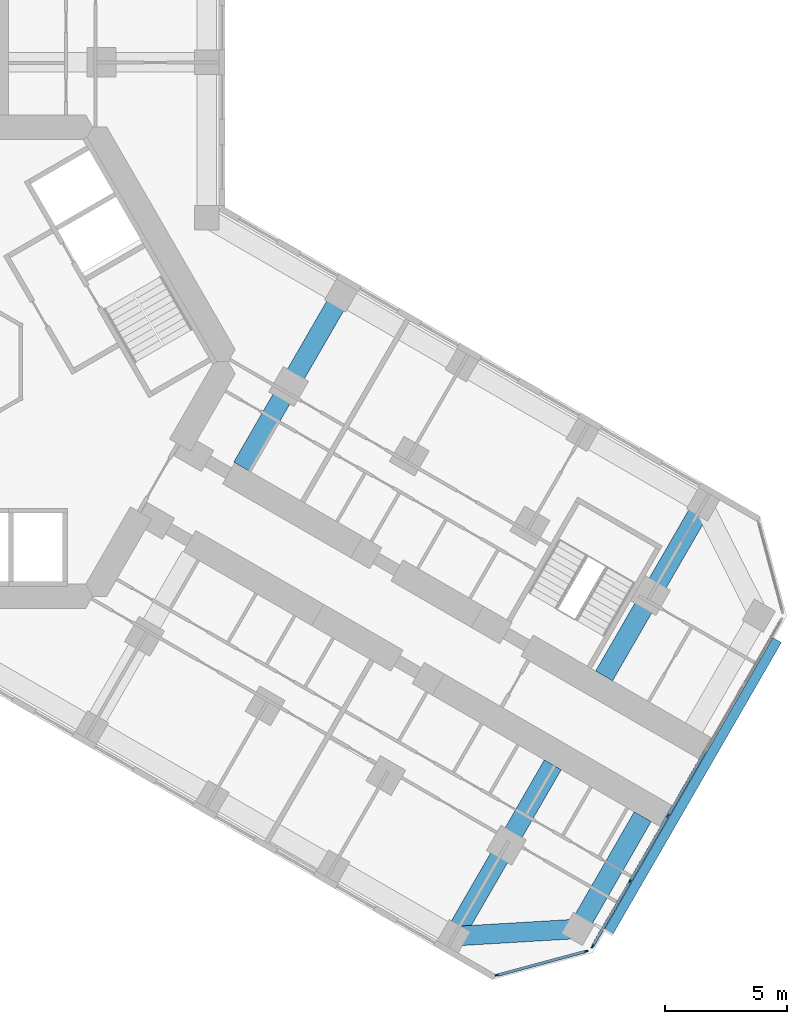
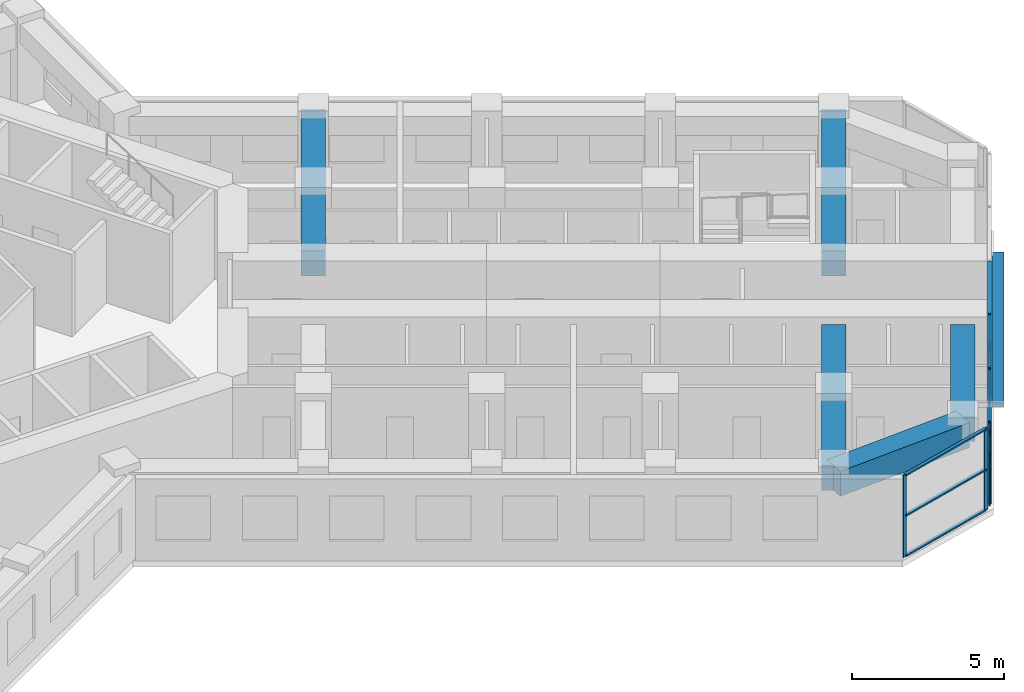
# One storey, part 5 of 21: 15 members, 5 beams, 2 elements without a shape of their own.
"""IFC4 building model written with IfcOpenShell, lengths in metres."""

from ifc_helpers import new_model, si_unit, direction, frame, origin, origin_2d, place, context, subcontext, project, spatial, rectangle, extrude, material, material_profile, profile_set, type_object, element, aggregate, save


model = new_model("IFC4")

# Units and contexts
model_context = context("Model", 3, precision=1e-05, world=origin(), true_north=direction((0.0, 1.0)))
body_context = subcontext(model_context, "Body", "Model", "MODEL_VIEW")
ifc_project = project(units=[si_unit("LENGTHUNIT", "METRE"), si_unit("AREAUNIT", "SQUARE_METRE"), si_unit("VOLUMEUNIT", "CUBIC_METRE"), si_unit("PLANEANGLEUNIT", "RADIAN"), si_unit("MASSUNIT", "GRAM", prefix="KILO")], contexts=[model_context])

# Site, building, storey
site_placement = place(None, origin())
site = spatial("IfcSite", under=ifc_project, at=site_placement, CompositionType="ELEMENT")
building_placement = place(site_placement, origin())
building = spatial("IfcBuilding", under=site, at=building_placement, Name="Kosmar Iwan School Tower", CompositionType="ELEMENT")
storey_placement = place(building_placement, frame((0.0, 0.0, 109.60009765625)))
storey = spatial("IfcBuildingStorey", under=building, at=storey_placement, Name="L27", CompositionType="ELEMENT", Elevation=109.60009765625)

# Beams
ifc_material_1 = material(Name="Concrete C50/60", Category="concrete")
ifc_material_profile_1 = material_profile(ifc_material_1, rectangle(XDim=0.800048828125, YDim=1.0, at=origin_2d()), Name="RC 800x1000 + HD 400x347")
ifc_profile_set_1 = profile_set([ifc_material_profile_1], Name="Concrete C50/60")
beam_type_1 = type_object("IfcBeamType", Name="Composite tip beam 800x1000 HD 400x347", PredefinedType="BEAM", material=ifc_profile_set_1)
beam_1_placement = place(storey_placement, frame((20.31787109375, -23.508544921875, 2.7998046875), z_axis=(0.998260616478, 0.058955420358, 0.0), x_axis=(-0.058955420358, 0.998260616478, 0.0)))
element("IfcBeam", 1, at=beam_1_placement, inside=storey, type_object=beam_type_1, Name="Tip beam CR", PredefinedType="BEAM", context=body_context, shape_type="SweptSolid", body=[
    extrude(rectangle(XDim=0.800048828125, YDim=1.0, at=origin_2d()), origin(), (0.0, 0.0, 1.0), 5.08935546875),
])
beam_2_placement = place(storey_placement, frame((25.3984375, -23.20849609375, 2.7998046875), z_axis=(0.499993606316, 0.866029095148, 0.0), x_axis=(-0.866029095148, 0.499993606316, 0.0)))
element("IfcBeam", 2, at=beam_2_placement, inside=storey, type_object=beam_type_1, Name="Tip beam CR to corridor wall", PredefinedType="BEAM", context=body_context, shape_type="SweptSolid", body=[
    extrude(rectangle(XDim=0.800048828125, YDim=1.0, at=origin_2d()), origin(), (0.0, 0.0, 1.0), 5.2998046875),
])
ifc_material_2 = material(Name="Concrete C50/60", Category="concrete")
ifc_material_profile_2 = material_profile(ifc_material_2, rectangle(XDim=0.800048828125, YDim=1.0, at=origin_2d()), Name="RC 800x1000 + HD 400x634")
ifc_profile_set_2 = profile_set([ifc_material_profile_2], Name="Concrete C50/60")
beam_type_2 = type_object("IfcBeamType", Name="Composite transverse beam 800x1000 HD 400x634", PredefinedType="BEAM", material=ifc_profile_set_2)
for number, where, z_axis, x_axis, name in (
    (3, (15.708740234375, 2.70849609375, 2.7998046875), (-0.499999880539, -0.866025472755, 0.0), (0.866025472755, -0.499999880539, 0.0), "Transverse beam CL1"),
    (4, (30.517822265625, -5.841552734375, 2.7998046875), (-0.499999880539, -0.866025472755, 0.0), (0.866025472755, -0.499999880539, 0.0), "Transverse beam CL4"),
    (5, (20.31787109375, -23.508544921875, 2.7998046875), (0.499999880539, 0.866025472755, 0.0), (-0.866025472755, 0.499999880539, 0.0), "Transverse beam CR4"),
):
    element("IfcBeam", number, at=place(storey_placement, frame(where, z_axis=z_axis, x_axis=x_axis)), inside=storey, type_object=beam_type_2, Name=name, PredefinedType="BEAM", context=body_context, shape_type="SweptSolid", body=[
        extrude(rectangle(XDim=0.800048828125, YDim=1.0, at=origin_2d()), origin(), (0.0, 0.0, 1.0), 8.10009765625),
    ])

# Member
ifc_material_3 = material(Name="Black anodised aluminium", Category="aluminium")
ifc_material_profile_3 = material_profile(ifc_material_3, rectangle(XDim=0.10009765625, YDim=0.39990234375, at=origin_2d()), Name="FIN 100x400")
ifc_profile_set_3 = profile_set([ifc_material_profile_3], Name="Black anodised aluminium")
member_type_1 = type_object("IfcMemberType", Name="Diagonal fin 100x400", PredefinedType="USERDEFINED", material=ifc_profile_set_3)
member_1_placement = place(storey_placement, frame((33.54345703125, -11.40087890625, -0.150146484375), z_axis=(-0.484219792667, -0.838708782627, 0.249196248635), x_axis=(0.124596397335, 0.21581127891, 0.968453008497)))
element("IfcMember", 6, at=member_1_placement, inside=storey, type_object=member_type_1, Name="Diagonal fin L27-F03", ObjectType="FIN", PredefinedType="USERDEFINED", context=body_context, shape_type="SweptSolid", body=[
    extrude(rectangle(XDim=0.10009765625, YDim=0.39990234375, at=origin_2d()), origin(), (0.0, 0.0, 1.0), 14.24609375),
])

# Curtain wall, members
ifc_material_4 = material(Name="Dark glass in black aluminium frame", Category="aluminium")
curtain_wall_type_1 = type_object("IfcCurtainWallType", Name="Chamfer curtain wall dark glass", PredefinedType="USERDEFINED", material=ifc_material_4)
curtain_wall_1_placement = place(storey_placement, origin())
curtain_wall_1 = element("IfcCurtainWall", 7, at=curtain_wall_1_placement, inside=storey, type_object=curtain_wall_type_1, Name="Curtain wall L27-F02", ObjectType="FACETED CURTAIN WALL", PredefinedType="USERDEFINED")
ifc_material_5 = material(Name="Black anodised aluminium", Category="aluminium")
ifc_material_profile_4 = material_profile(ifc_material_5, rectangle(XDim=0.06005859375, YDim=0.159912109375, at=origin_2d()), Name="MULLION 60x160")
ifc_profile_set_4 = profile_set([ifc_material_profile_4], Name="Black anodised aluminium")
member_type_2 = type_object("IfcMemberType", Name="Mullion 60x160", PredefinedType="MULLION", material=ifc_profile_set_4)
member_2_placement = place(storey_placement, frame((22.0830078125, -25.102294921875, 0.0), z_axis=(0.0, 0.0, 1.0), x_axis=(-0.258818861462, 0.965925875495, 0.0)))
member_2 = element("IfcMember", 8, at=member_2_placement, type_object=member_type_2, Name="CW2 mullion 1", PredefinedType="MULLION", context=body_context, shape_type="SweptSolid", body=[
    extrude(rectangle(XDim=0.06005859375, YDim=0.159912109375, at=origin_2d()), origin(), (0.0, 0.0, 1.0), 3.2998046875),
])
member_3_placement = place(storey_placement, frame((25.733154296875, -24.124267578125, 0.0), z_axis=(0.0, 0.0, 1.0), x_axis=(-0.258818861462, 0.965925875495, 0.0)))
member_3 = element("IfcMember", 9, at=member_3_placement, type_object=member_type_2, Name="CW2 mullion 2", PredefinedType="MULLION", context=body_context, shape_type="SweptSolid", body=[
    extrude(rectangle(XDim=0.06005859375, YDim=0.159912109375, at=origin_2d()), origin(), (0.0, 0.0, 1.0), 3.2998046875),
])

ifc_material_6 = material(Name="Dark glass in black aluminium frame", Category="aluminium")
curtain_wall_type_2 = type_object("IfcCurtainWallType", Name="Tower curtain wall dark glass", PredefinedType="USERDEFINED", material=ifc_material_6)
curtain_wall_2_placement = place(storey_placement, origin())
curtain_wall_2 = element("IfcCurtainWall", 10, at=curtain_wall_2_placement, inside=storey, type_object=curtain_wall_type_2, Name="Curtain wall L27-F03", ObjectType="UNITISED CURTAIN WALL", PredefinedType="USERDEFINED")
member_4_placement = place(storey_placement, frame((25.9970703125, -23.921630859375, 0.0), z_axis=(0.0, 0.0, 1.0), x_axis=(-0.866025405329, 0.499999997325, 0.0)))
member_4 = element("IfcMember", 11, at=member_4_placement, type_object=member_type_2, Name="CW1 mullion 1", PredefinedType="MULLION", context=body_context, shape_type="SweptSolid", body=[
    extrude(rectangle(XDim=0.06005859375, YDim=0.159912109375, at=origin_2d()), origin(), (0.0, 0.0, 1.0), 3.2998046875),
])
member_5_placement = place(storey_placement, frame((27.53173828125, -21.263671875, 0.0), z_axis=(0.0, 0.0, 1.0), x_axis=(-0.866025405329, 0.499999997325, 0.0)))
member_5 = element("IfcMember", 12, at=member_5_placement, type_object=member_type_2, Name="CW1 mullion 2", PredefinedType="MULLION", context=body_context, shape_type="SweptSolid", body=[
    extrude(rectangle(XDim=0.06005859375, YDim=0.159912109375, at=origin_2d()), origin(), (0.0, 0.0, 1.0), 3.2998046875),
])
member_6_placement = place(storey_placement, frame((29.081298828125, -18.57958984375, 0.0), z_axis=(0.0, 0.0, 1.0), x_axis=(-0.866025405329, 0.499999997325, 0.0)))
member_6 = element("IfcMember", 13, at=member_6_placement, type_object=member_type_2, Name="CW1 mullion 3", PredefinedType="MULLION", context=body_context, shape_type="SweptSolid", body=[
    extrude(rectangle(XDim=0.06005859375, YDim=0.159912109375, at=origin_2d()), origin(), (0.0, 0.0, 1.0), 3.2998046875),
])

# Member
ifc_material_7 = material(Name="Black anodised aluminium", Category="aluminium")
ifc_material_profile_5 = material_profile(ifc_material_7, rectangle(XDim=0.1201171875, YDim=0.06005859375, at=origin_2d()), Name="TRANSOM 60x120")
ifc_profile_set_5 = profile_set([ifc_material_profile_5], Name="Black anodised aluminium")
member_type_3 = type_object("IfcMemberType", Name="Transom 60x120", PredefinedType="USERDEFINED", material=ifc_profile_set_5)
member_7_placement = place(storey_placement, frame((22.11181640625, -25.094482421875, 0.02978515625), z_axis=(0.965923731726, 0.258826861991, 0.0), x_axis=(-0.258826861991, 0.965923731726, 0.0)))
member_7 = element("IfcMember", 14, at=member_7_placement, type_object=member_type_3, Name="CW2 transom 1.1", ObjectType="TRANSOM", PredefinedType="USERDEFINED", context=body_context, shape_type="SweptSolid", body=[
    extrude(rectangle(XDim=0.1201171875, YDim=0.06005859375, at=origin_2d()), origin(), (0.0, 0.0, 1.0), 3.71923828125),
])

member_8_placement = place(storey_placement, frame((22.11181640625, -25.094482421875, 1.64990234375), z_axis=(0.965923731726, 0.258826861991, 0.0), x_axis=(-0.258826861991, 0.965923731726, 0.0)))
member_8 = element("IfcMember", 15, at=member_8_placement, type_object=member_type_3, Name="CW2 transom 1.2", ObjectType="TRANSOM", PredefinedType="USERDEFINED", context=body_context, shape_type="SweptSolid", body=[
    extrude(rectangle(XDim=0.1201171875, YDim=0.06005859375, at=origin_2d()), origin(), (0.0, 0.0, 1.0), 3.71923828125),
])

member_9_placement = place(storey_placement, frame((22.11181640625, -25.094482421875, 3.27001953125), z_axis=(0.965923731726, 0.258826861991, 0.0), x_axis=(-0.258826861991, 0.965923731726, 0.0)))
member_9 = element("IfcMember", 16, at=member_9_placement, type_object=member_type_3, Name="CW2 transom 1.3", ObjectType="TRANSOM", PredefinedType="USERDEFINED", context=body_context, shape_type="SweptSolid", body=[
    extrude(rectangle(XDim=0.1201171875, YDim=0.06005859375, at=origin_2d()), origin(), (0.0, 0.0, 1.0), 3.71923828125),
])

aggregate(curtain_wall_1, [member_2, member_3, member_7, member_8, member_9])

member_10_placement = place(storey_placement, frame((26.01220703125, -23.895751953125, 0.02978515625), z_axis=(0.499986971506, 0.866032925658, 0.0), x_axis=(-0.866032925658, 0.499986971506, 0.0)))
member_10 = element("IfcMember", 17, at=member_10_placement, type_object=member_type_3, Name="CW1 transom 1.1", ObjectType="TRANSOM", PredefinedType="USERDEFINED", context=body_context, shape_type="SweptSolid", body=[
    extrude(rectangle(XDim=0.1201171875, YDim=0.06005859375, at=origin_2d()), origin(), (0.0, 0.0, 1.0), 3.00927734375),
])

member_11_placement = place(storey_placement, frame((26.01220703125, -23.895751953125, 3.27001953125), z_axis=(0.499986971506, 0.866032925658, 0.0), x_axis=(-0.866032925658, 0.499986971506, 0.0)))
member_11 = element("IfcMember", 18, at=member_11_placement, type_object=member_type_3, Name="CW1 transom 1.2", ObjectType="TRANSOM", PredefinedType="USERDEFINED", context=body_context, shape_type="SweptSolid", body=[
    extrude(rectangle(XDim=0.1201171875, YDim=0.06005859375, at=origin_2d()), origin(), (0.0, 0.0, 1.0), 3.00927734375),
])

member_12_placement = place(storey_placement, frame((27.546875, -21.237548828125, 0.02978515625), z_axis=(0.499975102327, 0.866039777986, 0.0), x_axis=(-0.866039777986, 0.499975102327, 0.0)))
member_12 = element("IfcMember", 19, at=member_12_placement, type_object=member_type_3, Name="CW1 transom 2.1", ObjectType="TRANSOM", PredefinedType="USERDEFINED", context=body_context, shape_type="SweptSolid", body=[
    extrude(rectangle(XDim=0.1201171875, YDim=0.06005859375, at=origin_2d()), origin(), (0.0, 0.0, 1.0), 3.039306640625),
])

member_13_placement = place(storey_placement, frame((27.546875, -21.237548828125, 3.27001953125), z_axis=(0.499975102327, 0.866039777986, 0.0), x_axis=(-0.866039777986, 0.499975102327, 0.0)))
member_13 = element("IfcMember", 20, at=member_13_placement, type_object=member_type_3, Name="CW1 transom 2.2", ObjectType="TRANSOM", PredefinedType="USERDEFINED", context=body_context, shape_type="SweptSolid", body=[
    extrude(rectangle(XDim=0.1201171875, YDim=0.06005859375, at=origin_2d()), origin(), (0.0, 0.0, 1.0), 3.039306640625),
])

member_14_placement = place(storey_placement, frame((29.096435546875, -18.553466796875, 0.02978515625), z_axis=(0.499975102327, 0.866039777986, 0.0), x_axis=(-0.866039777986, 0.499975102327, 0.0)))
member_14 = element("IfcMember", 21, at=member_14_placement, type_object=member_type_3, Name="CW1 transom 3.1", ObjectType="TRANSOM", PredefinedType="USERDEFINED", context=body_context, shape_type="SweptSolid", body=[
    extrude(rectangle(XDim=0.1201171875, YDim=0.06005859375, at=origin_2d()), origin(), (0.0, 0.0, 1.0), 3.039306640625),
])

member_15_placement = place(storey_placement, frame((29.096435546875, -18.553466796875, 3.27001953125), z_axis=(0.499975102327, 0.866039777986, 0.0), x_axis=(-0.866039777986, 0.499975102327, 0.0)))
member_15 = element("IfcMember", 22, at=member_15_placement, type_object=member_type_3, Name="CW1 transom 3.2", ObjectType="TRANSOM", PredefinedType="USERDEFINED", context=body_context, shape_type="SweptSolid", body=[
    extrude(rectangle(XDim=0.1201171875, YDim=0.06005859375, at=origin_2d()), origin(), (0.0, 0.0, 1.0), 3.039306640625),
])

aggregate(curtain_wall_2, [member_4, member_5, member_6, member_10, member_11, member_12, member_13, member_14, member_15])

save(model, "model.ifc")
